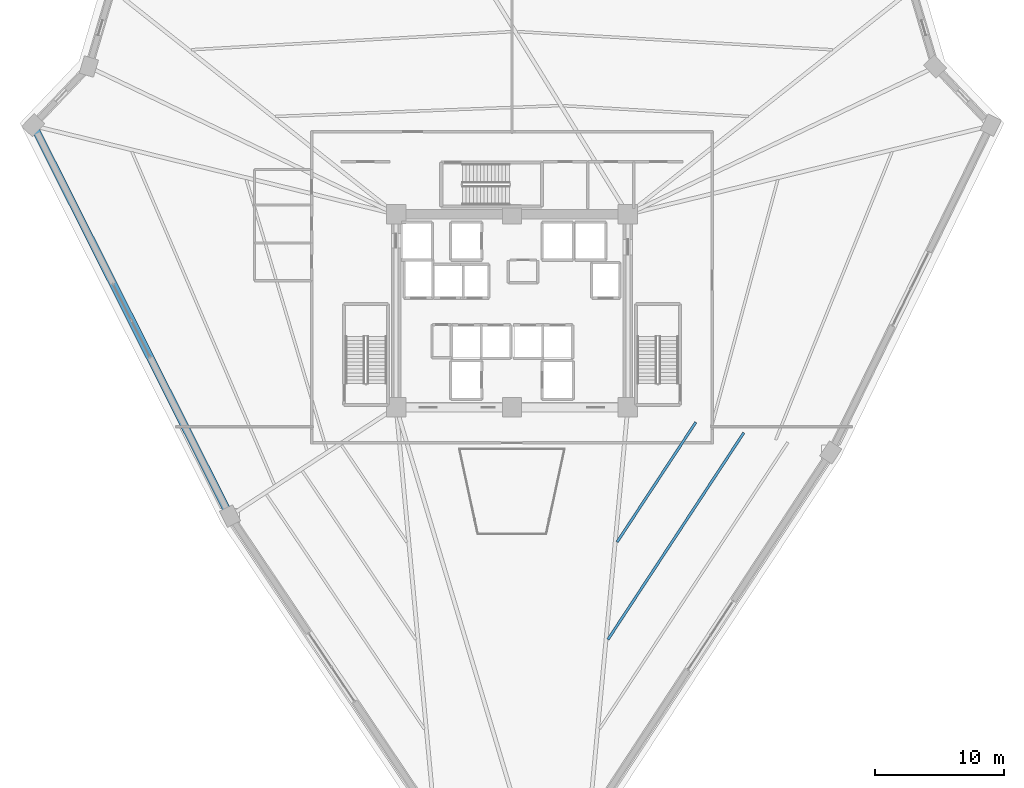
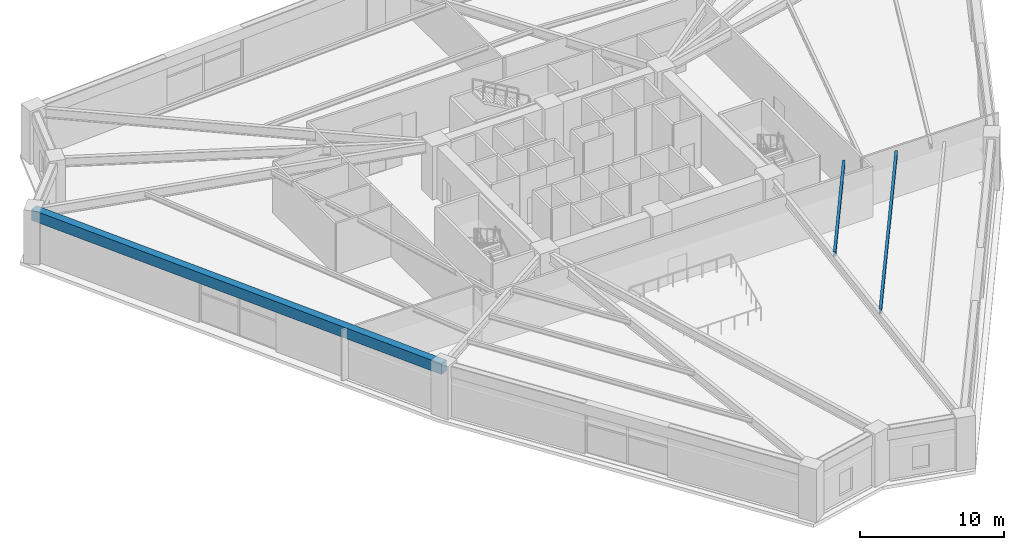
# One storey, part 9 of 30: 3 beams.
"""IFC4 building model written with IfcOpenShell, lengths in metres."""

from ifc_helpers import new_model, si_unit, direction, frame, origin, origin_2d, place, context, subcontext, project, spatial, rectangle, i_section, extrude, source, transform, mapped, material, material_profile, profile_set, type_object, element, save


model = new_model("IFC4")

# Units and contexts
model_context = context("Model", 3, precision=1e-05, world=origin(), true_north=direction((0.0, 1.0)))
body_context = subcontext(model_context, "Body", "Model", "MODEL_VIEW")
ifc_project = project(units=[si_unit("LENGTHUNIT", "METRE"), si_unit("AREAUNIT", "SQUARE_METRE"), si_unit("VOLUMEUNIT", "CUBIC_METRE"), si_unit("PLANEANGLEUNIT", "RADIAN"), si_unit("MASSUNIT", "GRAM", prefix="KILO")], contexts=[model_context])

# Site, building, storey
site_placement = place(None, origin())
site = spatial("IfcSite", under=ifc_project, at=site_placement, CompositionType="ELEMENT")
building_placement = place(site_placement, origin())
building = spatial("IfcBuilding", under=site, at=building_placement, Name="Liaohun Quay Tower", CompositionType="ELEMENT")
storey_placement = place(building_placement, frame((0.0, 0.0, 97.5)))
storey = spatial("IfcBuildingStorey", under=building, at=storey_placement, Name="L25", CompositionType="ELEMENT", Elevation=97.5)

# Beams
ifc_material_1 = material(Name="Precast concrete C55", Category="concrete")
ifc_material_profile_1 = material_profile(ifc_material_1, rectangle(XDim=0.60009765625, YDim=0.89990234375, at=origin_2d()), Name="RC600x900")
ifc_profile_set_1 = profile_set([ifc_material_profile_1], Name="Precast concrete C55")
beam_type_1 = type_object("IfcBeamType", Name="BM-SPD-Z2", PredefinedType="SPANDREL", material=ifc_profile_set_1)
shared_shape_1 = source(origin(), body_context, "Body", "SweptSolid", [
    extrude(rectangle(XDim=0.60009765625, YDim=0.89990234375, at=origin_2d()), origin(), (0.0, 0.0, 1.0), 34.0048828125),
])
beam_1_placement = place(storey_placement, frame((38.089111328125, 38.056884765625, 3.8701171875), z_axis=(-0.449555469675, 0.893252416557, 0.0), x_axis=(-0.893252416557, -0.449555469675, 0.0)))
element("IfcBeam", 1, at=beam_1_placement, inside=storey, type_object=beam_type_1, Name="L25 Precast Spandrel Beam PC02-PC03", PredefinedType="SPANDREL", context=body_context, shape_type="MappedRepresentation", body=[
    mapped(shared_shape_1, transform((0.0, 0.0, 0.0), x_axis=(1.0, 0.0, 0.0), y_axis=(0.0, 1.0, 0.0), z_axis=(0.0, 0.0, 1.0), scale=1.0)),
])
ifc_material_2 = material(Name="Steel Q355D", Category="steel")
ifc_material_profile_2 = material_profile(ifc_material_2, i_section(OverallWidth=0.199951171875, OverallDepth=0.39990234375, WebThickness=0.008056640625, FlangeThickness=0.012939453125, at=origin_2d()), Name="HN400x200x8x13")
ifc_profile_set_2 = profile_set([ifc_material_profile_2], Name="Steel Q355D")
beam_type_2 = type_object("IfcBeamType", Name="BM-SEC-J2", PredefinedType="JOIST", material=ifc_profile_set_2)
shared_shape_2 = source(origin(), body_context, "Body", "SweptSolid", [
    extrude(i_section(OverallWidth=0.199951171875, OverallDepth=0.39990234375, WebThickness=0.008056640625, FlangeThickness=0.012939453125, at=origin_2d()), origin(), (0.0, 0.0, 1.0), 11.129638671875),
])
beam_2_placement = place(storey_placement, frame((74.281005859375, 45.343017578125, 4.1201171875), z_axis=(-0.549175260305, -0.835707205586, 0.0), x_axis=(0.835707205586, -0.549175260305, 0.0)))
element("IfcBeam", 2, at=beam_2_placement, inside=storey, type_object=beam_type_2, Name="L25 Wing Secondary Floor Joist SJ-12", PredefinedType="JOIST", context=body_context, shape_type="MappedRepresentation", body=[
    mapped(shared_shape_2, transform((0.0, 0.0, 0.0), x_axis=(1.0, 0.0, 0.0), y_axis=(0.0, 1.0, 0.0), z_axis=(0.0, 0.0, 1.0), scale=1.0)),
])
shared_shape_3 = source(origin(), body_context, "Body", "SweptSolid", [
    extrude(i_section(OverallWidth=0.199951171875, OverallDepth=0.39990234375, WebThickness=0.008056640625, FlangeThickness=0.012939453125, at=origin_2d()), origin(), (0.0, 0.0, 1.0), 19.21337890625),
])
beam_3_placement = place(storey_placement, frame((78.009033203125, 44.527099609375, 4.1201171875), z_axis=(-0.549148727391, -0.835724640779, 0.0), x_axis=(0.835724640779, -0.549148727391, 0.0)))
element("IfcBeam", 3, at=beam_3_placement, inside=storey, type_object=beam_type_2, Name="L25 Wing Secondary Floor Joist SJ-13", PredefinedType="JOIST", context=body_context, shape_type="MappedRepresentation", body=[
    mapped(shared_shape_3, transform((0.0, 0.0, 0.0), x_axis=(1.0, 0.0, 0.0), y_axis=(0.0, 1.0, 0.0), z_axis=(0.0, 0.0, 1.0), scale=1.0)),
])

save(model, "model.ifc")
